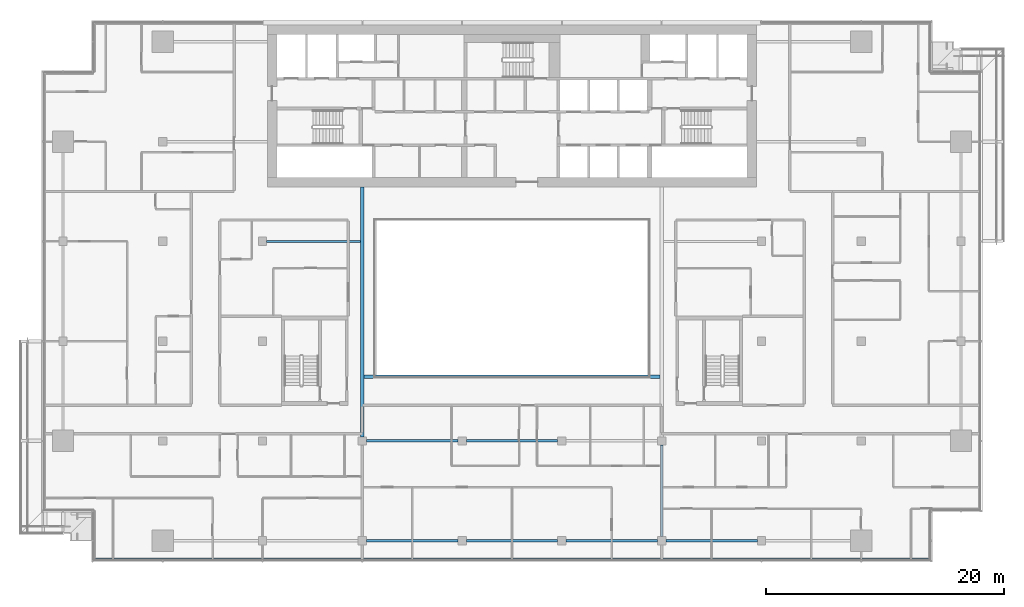
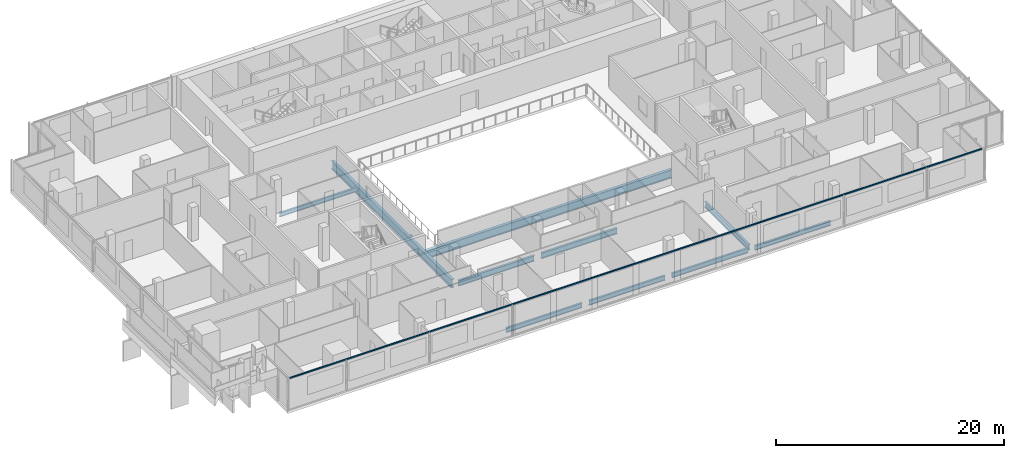
# One storey, part 5 of 29: 10 beams, 1 member, 1 element without a shape of its own.
"""IFC4 building model written with IfcOpenShell, lengths in metres."""

from ifc_helpers import new_model, si_unit, direction, frame, origin, origin_2d, place, context, subcontext, project, spatial, rectangle, i_section, extrude, material, material_profile, profile_set, type_object, element, aggregate, save


model = new_model("IFC4")

# Units and contexts
model_context = context("Model", 3, precision=1e-05, world=origin(), true_north=direction((0.0, 1.0)))
body_context = subcontext(model_context, "Body", "Model", "MODEL_VIEW")
ifc_project = project(units=[si_unit("LENGTHUNIT", "METRE"), si_unit("AREAUNIT", "SQUARE_METRE"), si_unit("VOLUMEUNIT", "CUBIC_METRE"), si_unit("PLANEANGLEUNIT", "RADIAN"), si_unit("MASSUNIT", "GRAM", prefix="KILO")], contexts=[model_context])

# Site, building, storey
site_placement = place(None, origin())
site = spatial("IfcSite", under=ifc_project, at=site_placement, CompositionType="ELEMENT")
building_placement = place(site_placement, origin())
building = spatial("IfcBuilding", under=site, at=building_placement, Name="Saffron Gate Tower", CompositionType="ELEMENT")
storey_placement = place(building_placement, frame((0.0, 0.0, 187.050048828125)))
storey = spatial("IfcBuildingStorey", under=building, at=storey_placement, Name="L46", CompositionType="ELEMENT", Elevation=187.050048828125)

# Beams
ifc_material_1 = material(Name="Structural steel S355", Category="steel")
ifc_material_profile_1 = material_profile(ifc_material_1, i_section(OverallWidth=0.199951171875, OverallDepth=0.5, WebThickness=0.01025390625, FlangeThickness=0.01611328125, FilletRadius=0.02099609375, at=origin_2d()))
ifc_profile_set_1 = profile_set([ifc_material_profile_1], Name="Structural steel S355")
beam_type_1 = type_object("IfcBeamType", Name="B11 IPE 500", PredefinedType="SPANDREL", material=ifc_profile_set_1)
for number, where, z_axis, x_axis, name in (
    (1, (75.35009765625, 31.800048828125, -0.530029296875), (1.0, 0.0, 0.0), (0.0, 1.0, 0.0), "B11 SPANDREL BEAM"),
    (2, (83.75, 31.800048828125, -0.530029296875), (1.0, 0.0, 0.0), (0.0, 1.0, 0.0), "B11 SPANDREL BEAM"),
):
    element("IfcBeam", number, at=place(storey_placement, frame(where, z_axis=z_axis, x_axis=x_axis)), inside=storey, type_object=beam_type_1, Name=name, PredefinedType="SPANDREL", context=body_context, shape_type="SweptSolid", body=[
        extrude(i_section(OverallWidth=0.199951171875, OverallDepth=0.5, WebThickness=0.01025390625, FlangeThickness=0.01611328125, FilletRadius=0.02099609375, at=origin_2d()), origin(), (0.0, 0.0, 1.0), 7.699951171875),
    ])
beam_1_placement = place(storey_placement, frame((92.14990234375, 31.800048828125, -0.530029296875), z_axis=(1.0, 0.0, 0.0), x_axis=(0.0, 1.0, 0.0)))
element("IfcBeam", 3, at=beam_1_placement, inside=storey, type_object=beam_type_1, Name="B11 SPANDREL BEAM", PredefinedType="SPANDREL", context=body_context, shape_type="SweptSolid", body=[
    extrude(i_section(OverallWidth=0.199951171875, OverallDepth=0.5, WebThickness=0.01025390625, FlangeThickness=0.01611328125, FilletRadius=0.02099609375, at=origin_2d()), origin(), (0.0, 0.0, 1.0), 7.7001953125),
])
beam_2_placement = place(storey_placement, frame((100.550048828125, 31.800048828125, -0.530029296875), z_axis=(1.0, 0.0, 0.0), x_axis=(0.0, 1.0, 0.0)))
element("IfcBeam", 4, at=beam_2_placement, inside=storey, type_object=beam_type_1, Name="B11 SPANDREL BEAM", PredefinedType="SPANDREL", context=body_context, shape_type="SweptSolid", body=[
    extrude(i_section(OverallWidth=0.199951171875, OverallDepth=0.5, WebThickness=0.01025390625, FlangeThickness=0.01611328125, FilletRadius=0.02099609375, at=origin_2d()), origin(), (0.0, 0.0, 1.0), 7.699951171875),
])
ifc_material_profile_2 = material_profile(ifc_material_1, i_section(OverallWidth=0.219970703125, OverallDepth=0.60009765625, WebThickness=0.011962890625, FlangeThickness=0.01904296875, FilletRadius=0.02392578125, at=origin_2d()))
ifc_profile_set_2 = profile_set([ifc_material_profile_2], Name="Structural steel S355")
beam_type_2 = type_object("IfcBeamType", Name="B15 IPE 600", PredefinedType="BEAM", material=ifc_profile_set_2)
beam_3_placement = place(storey_placement, frame((100.199951171875, 32.14990234375, -0.580078125), z_axis=(0.0, 1.0, 0.0), x_axis=(-1.0, 0.0, 0.0)))
element("IfcBeam", 5, at=beam_3_placement, inside=storey, type_object=beam_type_2, Name="B15 FLOOR GIRDER", PredefinedType="BEAM", context=body_context, shape_type="SweptSolid", body=[
    extrude(i_section(OverallWidth=0.219970703125, OverallDepth=0.60009765625, WebThickness=0.011962890625, FlangeThickness=0.01904296875, FilletRadius=0.02392578125, at=origin_2d()), origin(), (0.0, 0.0, 1.0), 7.7001953125),
])
for number, where, z_axis, x_axis, name in (
    (6, (75.35009765625, 40.199951171875, -0.580078125), (1.0, 0.0, 0.0), (0.0, 1.0, 0.0), "B15 FLOOR GIRDER"),
    (7, (83.75, 40.199951171875, -0.580078125), (1.0, 0.0, 0.0), (0.0, 1.0, 0.0), "B15 FLOOR GIRDER"),
):
    element("IfcBeam", number, at=place(storey_placement, frame(where, z_axis=z_axis, x_axis=x_axis)), inside=storey, type_object=beam_type_2, Name=name, PredefinedType="BEAM", context=body_context, shape_type="SweptSolid", body=[
        extrude(i_section(OverallWidth=0.219970703125, OverallDepth=0.60009765625, WebThickness=0.011962890625, FlangeThickness=0.01904296875, FilletRadius=0.02392578125, at=origin_2d()), origin(), (0.0, 0.0, 1.0), 7.699951171875),
    ])
ifc_material_profile_3 = material_profile(ifc_material_1, i_section(OverallWidth=0.300048828125, OverallDepth=0.889892578125, WebThickness=0.01611328125, FlangeThickness=0.030029296875, FilletRadius=0.030029296875, at=origin_2d()))
ifc_profile_set_3 = profile_set([ifc_material_profile_3], Name="Structural steel S355")
beam_type_3 = type_object("IfcBeamType", Name="B19 HEA 900", PredefinedType="BEAM", material=ifc_profile_set_3)
beam_4_placement = place(storey_placement, frame((75.0, 40.550048828125, -0.72509765625), z_axis=(0.0, 1.0, 0.0), x_axis=(-1.0, 0.0, 0.0)))
element("IfcBeam", 8, at=beam_4_placement, inside=storey, type_object=beam_type_3, Name="B19 ATRIUM GIRDER", PredefinedType="BEAM", context=body_context, shape_type="SweptSolid", body=[
    extrude(i_section(OverallWidth=0.300048828125, OverallDepth=0.889892578125, WebThickness=0.01611328125, FlangeThickness=0.030029296875, FilletRadius=0.030029296875, at=origin_2d()), origin(), (0.0, 0.0, 1.0), 21.050048828125),
])
beam_5_placement = place(storey_placement, frame((75.14990234375, 45.60009765625, -0.72509765625), z_axis=(1.0, 0.0, 0.0), x_axis=(0.0, 1.0, 0.0)))
element("IfcBeam", 9, at=beam_5_placement, inside=storey, type_object=beam_type_3, Name="B19 ATRIUM GIRDER", PredefinedType="BEAM", context=body_context, shape_type="SweptSolid", body=[
    extrude(i_section(OverallWidth=0.300048828125, OverallDepth=0.889892578125, WebThickness=0.01611328125, FlangeThickness=0.030029296875, FilletRadius=0.030029296875, at=origin_2d()), origin(), (0.0, 0.0, 1.0), 24.900146484375),
])
ifc_material_profile_4 = material_profile(ifc_material_1, i_section(OverallWidth=0.18994140625, OverallDepth=0.449951171875, WebThickness=0.009521484375, FlangeThickness=0.0146484375, FilletRadius=0.02099609375, at=origin_2d()))
ifc_profile_set_4 = profile_set([ifc_material_profile_4], Name="Structural steel S355")
beam_type_4 = type_object("IfcBeamType", Name="B6 IPE 450", PredefinedType="BEAM", material=ifc_profile_set_4)
beam_6_placement = place(storey_placement, frame((66.949951171875, 57.0, -0.505126953125), z_axis=(1.0, 0.0, 0.0), x_axis=(0.0, 1.0, 0.0)))
element("IfcBeam", 10, at=beam_6_placement, inside=storey, type_object=beam_type_4, Name="B6 CORE TIE BEAM", PredefinedType="BEAM", context=body_context, shape_type="SweptSolid", body=[
    extrude(i_section(OverallWidth=0.18994140625, OverallDepth=0.449951171875, WebThickness=0.009521484375, FlangeThickness=0.0146484375, FilletRadius=0.02099609375, at=origin_2d()), origin(), (0.0, 0.0, 1.0), 7.900146484375),
])

# Curtain wall, member
ifc_material_2 = material(Name="Aluminium, bronze anodised", Category="aluminium")
curtain_wall_type = type_object("IfcCurtainWallType", Name="CWS1 curtain wall front facade", PredefinedType="NOTDEFINED", material=ifc_material_2)
curtain_wall_placement = place(storey_placement, origin())
curtain_wall = element("IfcCurtainWall", 11, at=curtain_wall_placement, inside=storey, type_object=curtain_wall_type, Name="CWS1 run 1", PredefinedType="NOTDEFINED")
ifc_material_profile_5 = material_profile(ifc_material_2, rectangle(XDim=0.1201171875, YDim=0.1201171875, at=origin_2d()))
ifc_profile_set_5 = profile_set([ifc_material_profile_5], Name="Aluminium, bronze anodised")
member_type = type_object("IfcMemberType", Name="CWS1 head transom", PredefinedType="USERDEFINED", material=ifc_profile_set_5)
member_placement = place(storey_placement, frame((52.568115234375, 30.248046875, 3.260009765625), z_axis=(1.0, 0.0, 0.0), x_axis=(0.0, 1.0, 0.0)))
member = element("IfcMember", 12, at=member_placement, type_object=member_type, Name="CWS1 head transom", ObjectType="TRANSOM", PredefinedType="USERDEFINED", context=body_context, shape_type="SweptSolid", body=[
    extrude(rectangle(XDim=0.1201171875, YDim=0.1201171875, at=origin_2d()), origin(), (0.0, 0.0, 1.0), 70.06396484375),
])
aggregate(curtain_wall, [member])

save(model, "model.ifc")
